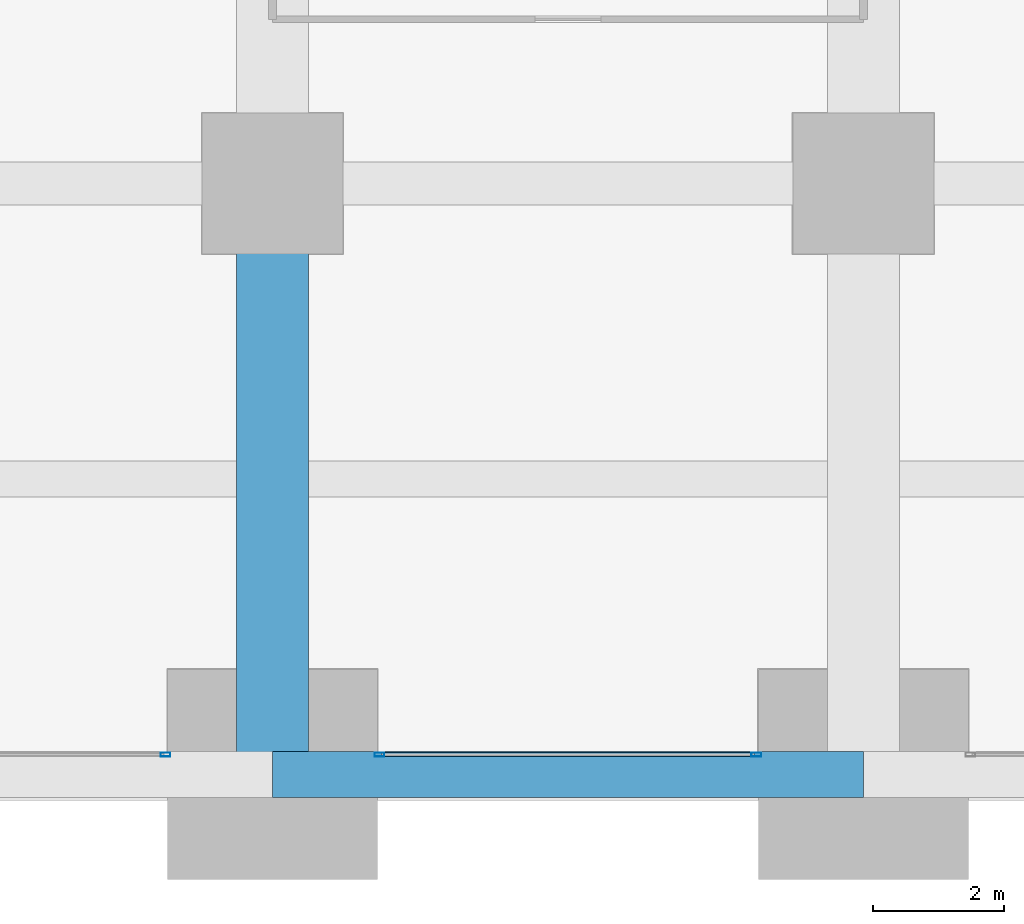
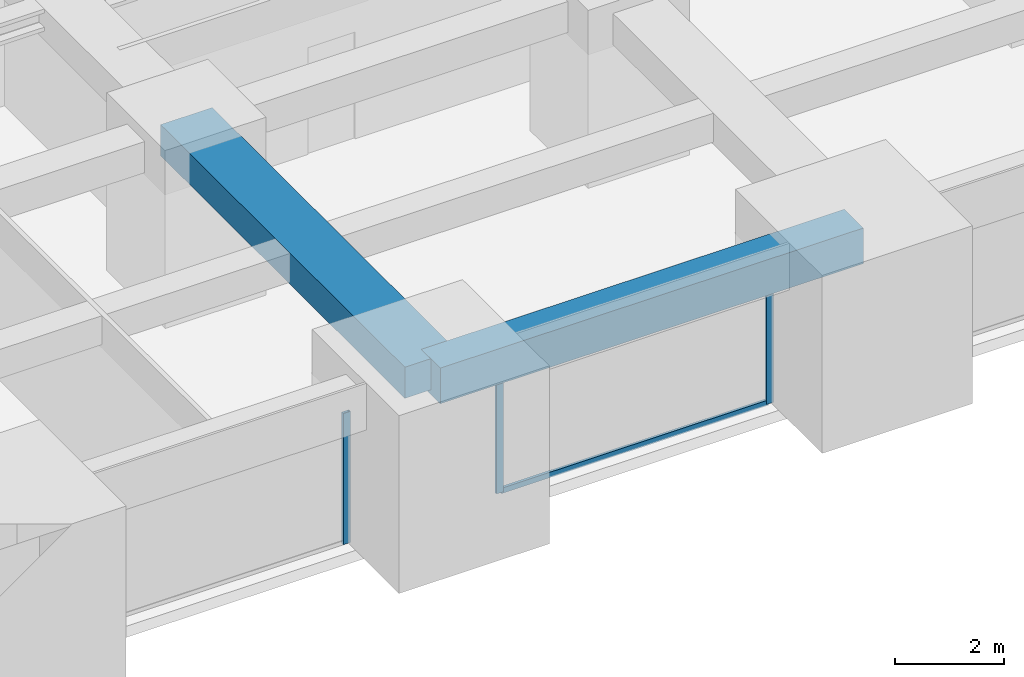
# One storey, part 13 of 41: 4 members, 2 beams, 2 elements without a shape of their own.
"""IFC4 building model written with IfcOpenShell, lengths in metres."""

from ifc_helpers import new_model, si_unit, direction, frame, origin, origin_2d, place, context, subcontext, project, spatial, rectangle, hollow_rectangle, extrude, material, material_profile, profile_set, type_object, element, aggregate, save


model = new_model("IFC4")

# Units and contexts
model_context = context("Model", 3, precision=1e-05, world=origin(), true_north=direction((0.0, 1.0)))
body_context = subcontext(model_context, "Body", "Model", "MODEL_VIEW")
ifc_project = project(units=[si_unit("LENGTHUNIT", "METRE"), si_unit("AREAUNIT", "SQUARE_METRE"), si_unit("VOLUMEUNIT", "CUBIC_METRE"), si_unit("PLANEANGLEUNIT", "RADIAN"), si_unit("MASSUNIT", "GRAM", prefix="KILO")], contexts=[model_context])

# Site, building, storey
site_placement = place(None, origin())
site = spatial("IfcSite", under=ifc_project, at=site_placement, CompositionType="ELEMENT")
building_placement = place(site_placement, origin())
building = spatial("IfcBuilding", under=site, at=building_placement, Name="Zorevar Civic Tower", CompositionType="ELEMENT")
storey_placement = place(building_placement, frame((0.0, 0.0, 89.0)))
storey = spatial("IfcBuildingStorey", under=building, at=storey_placement, Name="L21", CompositionType="ELEMENT", Elevation=89.0)

# Beam
ifc_material_1 = material(Name="Concrete C50/60", Category="concrete")
ifc_material_profile_1 = material_profile(ifc_material_1, rectangle(XDim=1.10009765625, YDim=0.699951171875, at=origin_2d()), Name="RC 1100x700")
ifc_profile_set_1 = profile_set([ifc_material_profile_1], Name="Concrete C50/60")
beam_type_1 = type_object("IfcBeamType", Name="Beam RC 1100x700", PredefinedType="BEAM", material=ifc_profile_set_1)
beam_1_placement = place(storey_placement, frame((36.0, 0.0, 3.39990234375), z_axis=(0.0, 1.0, 0.0), x_axis=(-1.0, 0.0, 0.0)))
element("IfcBeam", 1, at=beam_1_placement, inside=storey, type_object=beam_type_1, Name="Girder L22", PredefinedType="BEAM", context=body_context, shape_type="SweptSolid", body=[
    extrude(rectangle(XDim=1.10009765625, YDim=0.699951171875, at=origin_2d()), origin(), (0.0, 0.0, 1.0), 9.0),
])

# Curtain wall, member
ifc_material_2 = material(Name="Dark grey solar-control glass in black aluminium frame", Category="aluminium")
curtain_wall_type = type_object("IfcCurtainWallType", Name="Curtain wall CW3 mid zone", PredefinedType="NOTDEFINED", material=ifc_material_2)
curtain_wall_1_placement = place(storey_placement, origin())
curtain_wall_1 = element("IfcCurtainWall", 2, at=curtain_wall_1_placement, inside=storey, type_object=curtain_wall_type, Name="CW3 L21", PredefinedType="NOTDEFINED")
ifc_material_3 = material(Name="Aluminium, black anodised", Category="aluminium")
ifc_material_profile_2 = material_profile(ifc_material_3, hollow_rectangle(XDim=0.06005859375, YDim=0.14990234375, WallThickness=0.00390625, at=origin_2d()), Name="AL 150x60x4")
ifc_profile_set_2 = profile_set([ifc_material_profile_2], Name="Aluminium, black anodised")
member_type_1 = type_object("IfcMemberType", Name="CW3 mullion AL 150x60x4", PredefinedType="MULLION", material=ifc_profile_set_2)
member_1_placement = place(storey_placement, frame((34.3701171875, 0.300048828125, 0.0), z_axis=(0.0, 0.0, 1.0), x_axis=(0.0, 1.0, 0.0)))
member_1 = element("IfcMember", 3, at=member_1_placement, type_object=member_type_1, Name="CW3 mullion 2", PredefinedType="MULLION", context=body_context, shape_type="SweptSolid", body=[
    extrude(hollow_rectangle(XDim=0.06005859375, YDim=0.14990234375, WallThickness=0.00390625, at=origin_2d()), origin(), (0.0, 0.0, 1.0), 2.949951171875),
])
aggregate(curtain_wall_1, [member_1])

# Curtain wall, members
curtain_wall_2_placement = place(storey_placement, origin())
curtain_wall_2 = element("IfcCurtainWall", 4, at=curtain_wall_2_placement, inside=storey, type_object=curtain_wall_type, Name="CW3 L21", PredefinedType="NOTDEFINED")
member_2_placement = place(storey_placement, frame((37.6298828125, 0.300048828125, 0.0), z_axis=(0.0, 0.0, 1.0), x_axis=(0.0, 1.0, 0.0)))
member_2 = element("IfcMember", 5, at=member_2_placement, type_object=member_type_1, Name="CW3 mullion 1", PredefinedType="MULLION", context=body_context, shape_type="SweptSolid", body=[
    extrude(hollow_rectangle(XDim=0.06005859375, YDim=0.14990234375, WallThickness=0.00390625, at=origin_2d()), origin(), (0.0, 0.0, 1.0), 2.949951171875),
])
member_3_placement = place(storey_placement, frame((43.3701171875, 0.300048828125, 0.0), z_axis=(0.0, 0.0, 1.0), x_axis=(0.0, 1.0, 0.0)))
member_3 = element("IfcMember", 6, at=member_3_placement, type_object=member_type_1, Name="CW3 mullion 2", PredefinedType="MULLION", context=body_context, shape_type="SweptSolid", body=[
    extrude(hollow_rectangle(XDim=0.06005859375, YDim=0.14990234375, WallThickness=0.00390625, at=origin_2d()), origin(), (0.0, 0.0, 1.0), 2.949951171875),
])
ifc_material_4 = material(Name="Aluminium, black anodised", Category="aluminium")
ifc_material_profile_3 = material_profile(ifc_material_4, hollow_rectangle(XDim=0.06005859375, YDim=0.1201171875, WallThickness=0.0029296875, at=origin_2d()), Name="AL 120x60x3")
ifc_profile_set_3 = profile_set([ifc_material_profile_3], Name="Aluminium, black anodised")
member_type_2 = type_object("IfcMemberType", Name="CW3 transom AL 120x60x3", PredefinedType="USERDEFINED", material=ifc_profile_set_3)
member_4_placement = place(storey_placement, frame((37.659912109375, 0.300048828125, 0.030029296875), z_axis=(1.0, 0.0, 0.0), x_axis=(0.0, 1.0, 0.0)))
member_4 = element("IfcMember", 7, at=member_4_placement, type_object=member_type_2, Name="CW3 sill transom", ObjectType="TRANSOM", PredefinedType="USERDEFINED", context=body_context, shape_type="SweptSolid", body=[
    extrude(hollow_rectangle(XDim=0.06005859375, YDim=0.1201171875, WallThickness=0.0029296875, at=origin_2d()), origin(), (0.0, 0.0, 1.0), 5.68017578125),
])
aggregate(curtain_wall_2, [member_2, member_3, member_4])

# Beam
ifc_material_5 = material(Name="Concrete C50/60", Category="concrete")
ifc_material_profile_4 = material_profile(ifc_material_5, rectangle(XDim=0.699951171875, YDim=0.800048828125, at=origin_2d()), Name="RC 700x800")
ifc_profile_set_4 = profile_set([ifc_material_profile_4], Name="Concrete C50/60")
beam_type_2 = type_object("IfcBeamType", Name="Edge beam RC 700x800", PredefinedType="SPANDREL", material=ifc_profile_set_4)
beam_2_placement = place(storey_placement, frame((36.0, 0.0, 3.35009765625), z_axis=(1.0, 0.0, 0.0), x_axis=(0.0, 1.0, 0.0)))
element("IfcBeam", 8, at=beam_2_placement, inside=storey, type_object=beam_type_2, Name="Edge beam L22", PredefinedType="SPANDREL", context=body_context, shape_type="SweptSolid", body=[
    extrude(rectangle(XDim=0.699951171875, YDim=0.800048828125, at=origin_2d()), origin(), (0.0, 0.0, 1.0), 9.0),
])

save(model, "model.ifc")
